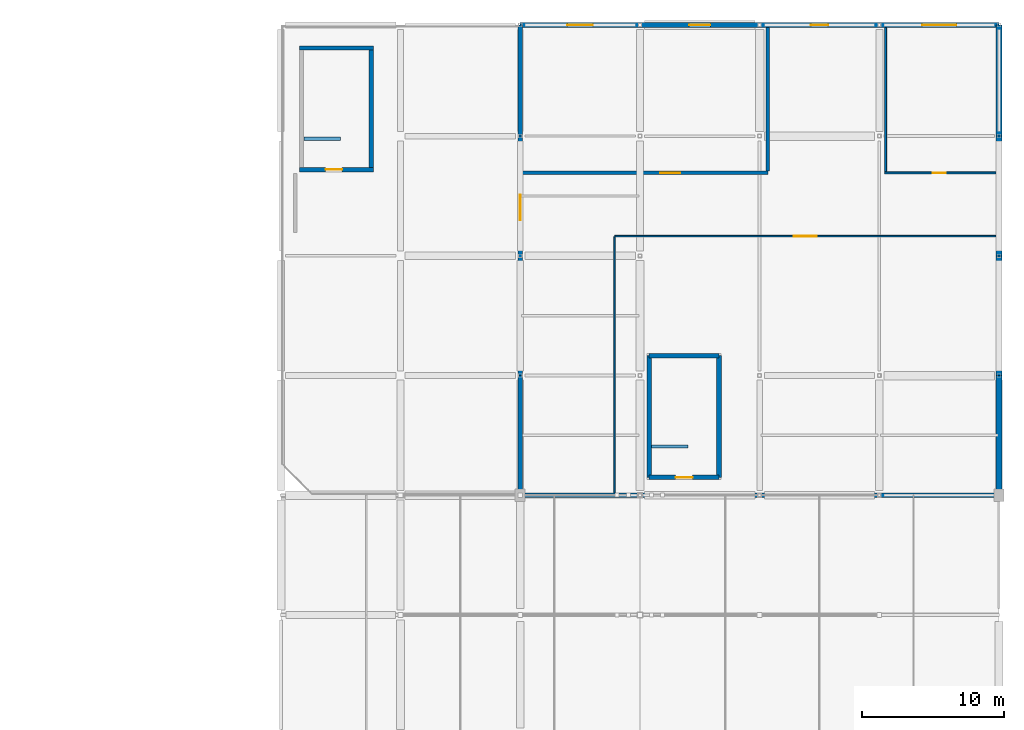
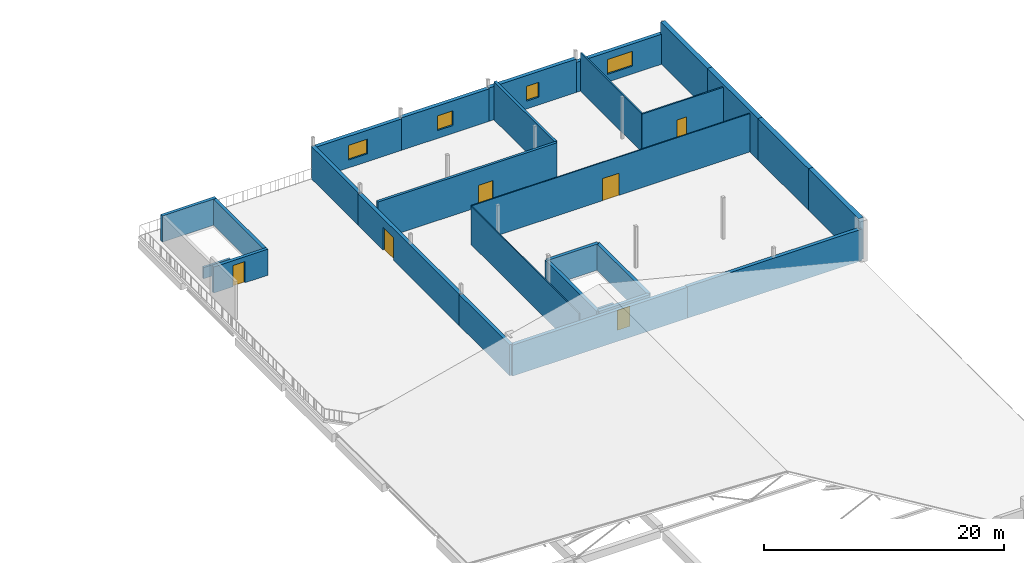
# One storey, part 58 of 64: 28 walls, 6 doors, 4 windows, 10 openings.
"""IFC4 building model written with IfcOpenShell, lengths in metres."""

import ifcopenshell
import ifcopenshell.guid

model = None  # the IFC model being written
_history = None  # IfcOwnerHistory: only IFC2X3 demands one
_inside = {}  # id of a spatial element -> (the spatial element, [elements in it])
_under = {}  # id of a project, library or spatial element -> (it, [spatial elements below it])
_declared = {}  # id of a project -> (the project, [libraries it declares])
_typed = {}  # id of a type object -> (the type object, [elements of that type])
_made_of = {}  # id of a material, layer set ... -> (it, [elements and type objects made of it])


def new_model(schema):
    """Start an empty IFC model of exactly this schema.

    Asked for "IFC4X3", IfcOpenShell would pick the latest addendum, in which some entities
    have other attributes; the version numbers below select the first issue.
    IFC2X3 requires an IfcOwnerHistory on every rooted entity: one is made here for all.
    """
    global model, _history
    if schema == "IFC4X3":
        model = ifcopenshell.file(schema_version=(4, 3, 0, 0))
    else:
        model = ifcopenshell.file(schema=schema)
    _inside.clear()
    _under.clear()
    _declared.clear()
    _typed.clear()
    _made_of.clear()
    _history = None
    if model.schema == "IFC2X3":
        org = make("IfcOrganization", Name="unknown")
        user = make(
            "IfcPersonAndOrganization",
            ThePerson=make("IfcPerson", FamilyName="unknown"),
            TheOrganization=org,
        )
        app = make(
            "IfcApplication",
            ApplicationDeveloper=org,
            Version="unknown",
            ApplicationFullName="unknown",
            ApplicationIdentifier="unknown",
        )
        _history = make(
            "IfcOwnerHistory",
            OwningUser=user,
            OwningApplication=app,
            ChangeAction="ADDED",
            CreationDate=0,
        )
    return model


def make(cls, **values):
    """One entity of the class cls with the attributes given. An attribute that is None is left unset."""
    return model.create_entity(
        cls, **{name: value for name, value in values.items() if value is not None}
    )


def rooted(cls, **values):
    """An entity with a GlobalId (a new one), such as an element, a storey or a relation."""
    return make(cls, GlobalId=ifcopenshell.guid.new(), OwnerHistory=_history, **values)


def si_unit(unit_type, name, prefix=None):
    """IfcSIUnit, for example si_unit("LENGTHUNIT", "METRE", prefix="MILLI")."""
    return make("IfcSIUnit", UnitType=unit_type, Prefix=prefix, Name=name)


def derived_unit(unit_type, elements):
    """IfcDerivedUnit: a product of units, each with its exponent."""
    return make(
        "IfcDerivedUnit",
        Elements=[
            make("IfcDerivedUnitElement", Unit=unit, Exponent=power)
            for unit, power in elements
        ],
        UnitType=unit_type,
    )


def assignment(units):
    """IfcUnitAssignment: the units of a project."""
    return None if units is None else make("IfcUnitAssignment", Units=units)


def point(xyz):
    """IfcCartesianPoint."""
    return None if xyz is None else make("IfcCartesianPoint", Coordinates=xyz)


def direction(xyz):
    """IfcDirection."""
    return None if xyz is None else make("IfcDirection", DirectionRatios=xyz)


def frame(location, z_axis=None, x_axis=None):
    """IfcAxis2Placement3D, a coordinate frame: its origin and axes. An axis left out is left unset."""
    return make(
        "IfcAxis2Placement3D",
        Location=point(location),
        Axis=direction(z_axis),
        RefDirection=direction(x_axis),
    )


def frame_2d(location, x_axis=None):
    """IfcAxis2Placement2D, a coordinate frame in the plane: its origin and x axis."""
    return make(
        "IfcAxis2Placement2D", Location=point(location), RefDirection=direction(x_axis)
    )


def origin():
    """The frame at (0, 0, 0) with its axes left unset."""
    return frame((0.0, 0.0, 0.0))


def place(relative_to, where):
    """IfcLocalPlacement: puts the frame where relative to a parent placement (None: the world)."""
    return make(
        "IfcLocalPlacement", PlacementRelTo=relative_to, RelativePlacement=where
    )


def context(
    kind, dimensions, precision=None, world=None, true_north=None, identifier=None
):
    """IfcGeometricRepresentationContext, for example the 3D "Model" context."""
    return make(
        "IfcGeometricRepresentationContext",
        ContextIdentifier=identifier,
        ContextType=kind,
        CoordinateSpaceDimension=dimensions,
        Precision=precision,
        WorldCoordinateSystem=world,
        TrueNorth=true_north,
    )


def subcontext(parent, identifier, kind, view, scale=None):
    """IfcGeometricRepresentationSubContext, for example "Body" below "Model"."""
    return make(
        "IfcGeometricRepresentationSubContext",
        ContextIdentifier=identifier,
        ContextType=kind,
        ParentContext=parent,
        TargetScale=scale,
        TargetView=view,
    )


def project(units=None, contexts=None):
    """IfcProject with its units and contexts."""
    return rooted(
        "IfcProject",
        Name="project",
        RepresentationContexts=contexts,
        UnitsInContext=assignment(units),
    )


def spatial(cls, under=None, at=None, **own):
    """A site, building, storey or space (cls), placed at a placement, below another one or the project."""
    s = rooted(cls, ObjectPlacement=at, **own)
    if under is not None:
        _under.setdefault(under.id(), (under, []))[1].append(s)
    return s


def profile(cls, at=None, kind="AREA", **sizes):
    """A parametric profile (cls). Its sizes go by their IFC names, for example OverallWidth=200.0."""
    return make(cls, ProfileType=kind, Position=at, **sizes)


def rectangle(**sizes):
    """IfcRectangleProfileDef."""
    return profile("IfcRectangleProfileDef", **sizes)


def extrude(swept, where, along, depth):
    """IfcExtrudedAreaSolid: the profile swept, set in the frame where, extruded along a direction by depth."""
    return make(
        "IfcExtrudedAreaSolid",
        SweptArea=swept,
        Position=where,
        ExtrudedDirection=direction(along),
        Depth=depth,
    )


def shape(context_of_items, identifier, shape_type, items):
    """IfcShapeRepresentation: the items that make up one representation, for example the "Body"."""
    return make(
        "IfcShapeRepresentation",
        ContextOfItems=context_of_items,
        RepresentationIdentifier=identifier,
        RepresentationType=shape_type,
        Items=items,
    )


def material(Name=None, Category=None):
    """IfcMaterial."""
    return make("IfcMaterial", Name=Name, Category=Category)


def layer(
    of_material, thickness, ventilated=None, Name=None, Category=None, Priority=None
):
    """IfcMaterialLayer: one layer of a wall or slab, of a material (None: an air gap)."""
    return make(
        "IfcMaterialLayer",
        Material=of_material,
        LayerThickness=thickness,
        IsVentilated=ventilated,
        Name=Name,
        Category=Category,
        Priority=Priority,
    )


def layer_set(layers, Name=None):
    """IfcMaterialLayerSet."""
    return make("IfcMaterialLayerSet", MaterialLayers=layers, LayerSetName=Name)


def made_of(thing, what):
    """Note that an element or type object is made of a material, layer set ...; save() writes the relation."""
    if what is not None:
        _made_of.setdefault(what.id(), (what, []))[1].append(thing)
    return thing


def type_object(cls, material=None, **own):
    """A type object (cls), such as IfcWallType, which elements share."""
    return made_of(rooted(cls, **own), material)


def element(
    cls,
    number,
    at=None,
    inside=None,
    cuts=None,
    type_object=None,
    material=None,
    context=None,
    identifier="Body",
    shape_type=None,
    held_by="IfcProductDefinitionShape",
    body=None,
    shapes=None,
    **own,
):
    """One element of the class cls, such as IfcWall. Its Tag is "e" and its number.

    at: its placement. inside: the storey or other place that contains it. cuts: it is an
    opening in that element (IfcRelVoidsElement). A single representation is given by context,
    identifier, shape_type and body (its items); several are given by shapes. held_by: the class
    of the entity that holds the representations. save() writes the other relations.
    """
    e = rooted(cls, Tag="e%d" % number, ObjectPlacement=at, **own)
    if body is not None:
        shapes = [shape(context, identifier, shape_type, body)]
    if shapes is not None:
        e.Representation = make(held_by, Representations=shapes)
    if inside is not None:
        _inside.setdefault(inside.id(), (inside, []))[1].append(e)
    if cuts is not None:
        rooted(
            "IfcRelVoidsElement", RelatingBuildingElement=cuts, RelatedOpeningElement=e
        )
    if type_object is not None:
        _typed.setdefault(type_object.id(), (type_object, []))[1].append(e)
    return made_of(e, material)


def fill(opening, filler):
    """IfcRelFillsElement: the door or window that sits in an opening."""
    return rooted(
        "IfcRelFillsElement",
        RelatingOpeningElement=opening,
        RelatedBuildingElement=filler,
    )


def aggregate(whole, parts):
    """IfcRelAggregates: a whole, such as a stair, and the parts it consists of."""
    return rooted("IfcRelAggregates", RelatingObject=whole, RelatedObjects=parts)


def save(model, path):
    """Write the relations noted so far, then the file.

    IfcRelAggregates (storeys below a building ...), IfcRelContainedInSpatialStructure (elements
    in a storey), IfcRelDefinesByType, IfcRelAssociatesMaterial and IfcRelDeclares: one each for
    every whole, place, type object, material and project.
    """
    for whole, parts in _under.values():
        aggregate(whole, parts)
    for where, things in _inside.values():
        rooted(
            "IfcRelContainedInSpatialStructure",
            RelatedElements=things,
            RelatingStructure=where,
        )
    for kind, things in _typed.values():
        rooted("IfcRelDefinesByType", RelatedObjects=things, RelatingType=kind)
    for what, things in _made_of.values():
        rooted("IfcRelAssociatesMaterial", RelatedObjects=things, RelatingMaterial=what)
    for by, libraries in _declared.values():
        rooted("IfcRelDeclares", RelatingContext=by, RelatedDefinitions=libraries)
    model.write(path)


model = new_model("IFC4")

# Units and contexts
model_context = context("Model", 3, precision=1e-05, world=origin(), true_north=direction((0.0, 1.0)))
body_context = subcontext(model_context, "Body", "Model", "MODEL_VIEW")
ifc_project = project(units=[si_unit("LENGTHUNIT", "METRE"), si_unit("AREAUNIT", "SQUARE_METRE"), si_unit("VOLUMEUNIT", "CUBIC_METRE"), si_unit("PLANEANGLEUNIT", "RADIAN"), si_unit("MASSUNIT", "GRAM", prefix="KILO"), derived_unit("THERMALTRANSMITTANCEUNIT", [(si_unit("POWERUNIT", "WATT"), 1), (si_unit("LENGTHUNIT", "METRE"), -2), (si_unit("THERMODYNAMICTEMPERATUREUNIT", "KELVIN"), -1)])], contexts=[model_context])

# Site, building, storey
site_placement = place(None, origin())
site = spatial("IfcSite", under=ifc_project, at=site_placement, CompositionType="ELEMENT")
building_placement = place(site_placement, origin())
building = spatial("IfcBuilding", under=site, at=building_placement, Name="Barrovel Congress Hotel", CompositionType="ELEMENT")
storey_placement = place(building_placement, frame((0.0, 0.0, 14.10009765625)))
storey = spatial("IfcBuildingStorey", under=building, at=storey_placement, Name="L03", CompositionType="ELEMENT", Elevation=14.10009765625)

# Wall, opening, door
ifc_material_1 = material(Name="Fired Clay Brick Masonry", Category="masonry")
ifc_layer_1 = layer(ifc_material_1, 0.320068359375)
ifc_layer_set_1 = layer_set([ifc_layer_1], Name="Fired Clay Brick Masonry")
wall_type_1 = type_object("IfcWallType", Name="EW-BRK320", PredefinedType="STANDARD", material=ifc_layer_set_1)
wall_1_placement = place(storey_placement, frame((151.85009765625, 81.050048828125, 0.0), z_axis=(0.0, 0.0, 1.0), x_axis=(1.0, 0.0, 0.0)))
wall_1 = element("IfcWall", 1, at=wall_1_placement, inside=storey, type_object=wall_type_1, Name="HHW:XS-06:S", PredefinedType="STANDARD", context=body_context, shape_type="SweptSolid", body=[
    extrude(rectangle(XDim=4.89990234375, YDim=0.320068359375, at=frame_2d((2.449951171875, 0.0))), origin(), (0.0, 0.0, 1.0), 2.64990234375),
])
opening_1_placement = place(wall_1_placement, frame((3.050048828125, 0.0, 0.0), z_axis=(0.0, 0.0, 1.0), x_axis=(-1.0, 0.0, 0.0)))
opening_1 = element("IfcOpeningElement", 2, at=opening_1_placement, cuts=wall_1, Name="Opening TD-02", PredefinedType="OPENING", context=body_context, shape_type="SweptSolid", body=[
    extrude(rectangle(XDim=1.199951171875, YDim=2.0400390625, at=frame_2d((0.60009765625, 1.02001953125))), frame((0.0, 0.169921875, 0.0), z_axis=(0.0, -1.0, 0.0), x_axis=(1.0, 0.0, 0.0)), (0.0, 0.0, 1.0), 0.340087890625),
])
ifc_material_2 = material(Name="Painted Hollow-Metal Steel Door", Category="steel")
door_type_1 = type_object("IfcDoorType", Name="EDR-TD-02", OperationType="NOTDEFINED", PredefinedType="TRAPDOOR", material=ifc_material_2)
door_1_placement = place(opening_1_placement, origin())
door_1 = element("IfcDoor", 3, at=door_1_placement, inside=storey, type_object=door_type_1, Name="Roof Maintenance Access Hatch Door XS-06", OperationType="SINGLE_SWING_RIGHT", OverallHeight=2.0400390625, OverallWidth=1.199951171875, PredefinedType="TRAPDOOR", context=body_context, shape_type="SweptSolid", body=[
    extrude(rectangle(XDim=1.199951171875, YDim=2.0400390625, at=frame_2d((0.60009765625, 1.02001953125))), frame((0.0, 0.02490234375, 0.0), z_axis=(0.0, -1.0, 0.0), x_axis=(1.0, 0.0, 0.0)), (0.0, 0.0, 1.0), 0.050048828125),
])
fill(opening_1, door_1)

# Walls
wall_2_placement = place(storey_placement, frame((156.75, 81.050048828125, 0.0), z_axis=(0.0, 0.0, 1.0), x_axis=(0.0, 1.0, 0.0)))
element("IfcWall", 4, at=wall_2_placement, inside=storey, type_object=wall_type_1, Name="HHW:XS-06:E", PredefinedType="STANDARD", context=body_context, shape_type="SweptSolid", body=[
    extrude(rectangle(XDim=8.5400390625, YDim=0.320068359375, at=frame_2d((4.27001953125, 0.0))), origin(), (0.0, 0.0, 1.0), 2.64990234375),
])
wall_3_placement = place(storey_placement, frame((156.75, 89.590087890625, 0.0), z_axis=(0.0, 0.0, 1.0), x_axis=(-1.0, 0.0, 0.0)))
element("IfcWall", 5, at=wall_3_placement, inside=storey, type_object=wall_type_1, Name="HHW:XS-06:N", PredefinedType="STANDARD", context=body_context, shape_type="SweptSolid", body=[
    extrude(rectangle(XDim=4.89990234375, YDim=0.320068359375, at=frame_2d((2.449951171875, 0.0))), origin(), (0.0, 0.0, 1.0), 2.64990234375),
])
wall_4_placement = place(storey_placement, frame((151.85009765625, 89.590087890625, 0.0), z_axis=(0.0, 0.0, 1.0), x_axis=(0.0, -1.0, 0.0)))
element("IfcWall", 6, at=wall_4_placement, inside=storey, type_object=wall_type_1, Name="HHW:XS-06:W", PredefinedType="STANDARD", context=body_context, shape_type="SweptSolid", body=[
    extrude(rectangle(XDim=8.5400390625, YDim=0.320068359375, at=frame_2d((4.27001953125, 0.0))), origin(), (0.0, 0.0, 1.0), 2.64990234375),
])

# Wall, opening, door
ifc_layer_2 = layer(ifc_material_1, 0.340087890625)
ifc_layer_set_2 = layer_set([ifc_layer_2], Name="Fired Clay Brick Masonry")
wall_type_2 = type_object("IfcWallType", Name="EW-BRK340", PredefinedType="STANDARD", material=ifc_layer_set_2)
wall_5_placement = place(storey_placement, frame((142.800048828125, 105.0, 0.0), z_axis=(0.0, 0.0, 1.0), x_axis=(0.0, -1.0, 0.0)))
wall_5 = element("IfcWall", 7, at=wall_5_placement, inside=storey, type_object=wall_type_2, Name="EW:L03:V3-TERRW", PredefinedType="STANDARD", context=body_context, shape_type="SweptSolid", body=[
    extrude(rectangle(XDim=16.800048828125, YDim=0.340087890625, at=frame_2d((8.39990234375, 0.0))), origin(), (0.0, 0.0, 1.0), 3.199951171875),
])
opening_2_placement = place(wall_5_placement, frame((5.900146484375, 0.0, 0.0), z_axis=(0.0, 0.0, 1.0), x_axis=(-1.0, 0.0, 0.0)))
opening_2 = element("IfcOpeningElement", 8, at=opening_2_placement, cuts=wall_5, Name="Opening ED-03", PredefinedType="OPENING", context=body_context, shape_type="SweptSolid", body=[
    extrude(rectangle(XDim=1.800048828125, YDim=2.300048828125, at=frame_2d((0.89990234375, 1.14990234375))), frame((0.0, 0.18017578125, 0.0), z_axis=(0.0, -1.0, 0.0), x_axis=(1.0, 0.0, 0.0)), (0.0, 0.0, 1.0), 0.360107421875),
])
ifc_material_3 = material(Name="Anodised Aluminium Glazed Door", Category="aluminium")
door_type_2 = type_object("IfcDoorType", Name="EDR-ED-03", OperationType="NOTDEFINED", PredefinedType="DOOR", material=ifc_material_3)
door_2_placement = place(opening_2_placement, origin())
door_2 = element("IfcDoor", 9, at=door_2_placement, inside=storey, type_object=door_type_2, Name="Spa Wellness Roof Terrace Door", OperationType="DOUBLE_DOOR_SINGLE_SWING", OverallHeight=2.300048828125, OverallWidth=1.800048828125, PredefinedType="DOOR", context=body_context, shape_type="SweptSolid", body=[
    extrude(rectangle(XDim=1.800048828125, YDim=2.300048828125, at=frame_2d((0.89990234375, 1.14990234375))), frame((0.0, 0.02490234375, 0.0), z_axis=(0.0, -1.0, 0.0), x_axis=(1.0, 0.0, 0.0)), (0.0, 0.0, 1.0), 0.050048828125),
])
fill(opening_2, door_2)

# Walls
wall_6_placement = place(storey_placement, frame((142.800048828125, 79.800048828125, 0.0), z_axis=(0.0, 0.0, 1.0), x_axis=(1.0, 0.0, 0.0)))
element("IfcWall", 10, at=wall_6_placement, inside=storey, type_object=wall_type_2, Name="EW:L03:V3-S", PredefinedType="STANDARD", context=body_context, shape_type="SweptSolid", body=[
    extrude(rectangle(XDim=16.800048828125, YDim=0.340087890625, at=frame_2d((8.39990234375, 0.0))), origin(), (0.0, 0.0, 1.0), 3.14990234375),
])
wall_7_placement = place(storey_placement, frame((142.800048828125, 112.800048828125, 0.0), z_axis=(0.0, 0.0, 1.0), x_axis=(0.0, -1.0, 0.0)))
element("IfcWall", 11, at=wall_7_placement, inside=storey, type_object=wall_type_2, Name="EW:L03:V3-TERRW:P01", PredefinedType="STANDARD", context=body_context, shape_type="SweptSolid", body=[
    extrude(rectangle(XDim=7.800048828125, YDim=0.340087890625, at=frame_2d((3.89990234375, 0.0))), origin(), (0.0, 0.0, 1.0), 3.2998046875),
])
wall_8_placement = place(storey_placement, frame((142.800048828125, 88.199951171875, 0.0), z_axis=(0.0, 0.0, 1.0), x_axis=(0.0, -1.0, 0.0)))
element("IfcWall", 12, at=wall_8_placement, inside=storey, type_object=wall_type_2, Name="EW:L03:V3-TERRW:P03", PredefinedType="STANDARD", context=body_context, shape_type="SweptSolid", body=[
    extrude(rectangle(XDim=8.39990234375, YDim=0.340087890625, at=frame_2d((4.199951171875, 0.0))), origin(), (0.0, 0.0, 1.0), 3.14990234375),
])
wall_9_placement = place(storey_placement, frame((159.60009765625, 79.800048828125, 0.0), z_axis=(0.0, 0.0, 1.0), x_axis=(1.0, 0.0, 0.0)))
element("IfcWall", 13, at=wall_9_placement, inside=storey, type_object=wall_type_2, Name="EW:L03:V3-S:P02", PredefinedType="STANDARD", context=body_context, shape_type="SweptSolid", body=[
    extrude(rectangle(XDim=16.7998046875, YDim=0.340087890625, at=frame_2d((8.39990234375, 0.0))), origin(), (0.0, 0.0, 1.0), 3.199951171875),
])

# Wall, opening, window
ifc_layer_3 = layer(ifc_material_1, 0.360107421875)
ifc_layer_set_3 = layer_set([ifc_layer_3], Name="Fired Clay Brick Masonry")
wall_type_3 = type_object("IfcWallType", Name="EW-BRK360", PredefinedType="STANDARD", material=ifc_layer_set_3)
wall_10_placement = place(storey_placement, frame((176.39990234375, 112.800048828125, 0.0), z_axis=(0.0, 0.0, 1.0), x_axis=(-1.0, 0.0, 0.0)))
wall_10 = element("IfcWall", 14, at=wall_10_placement, inside=storey, type_object=wall_type_3, Name="EW:L03:V3N:20", PredefinedType="STANDARD", context=body_context, shape_type="SweptSolid", body=[
    extrude(rectangle(XDim=8.39990234375, YDim=0.360107421875, at=frame_2d((4.199951171875, 0.0))), origin(), (0.0, 0.0, 1.0), 3.0498046875),
])
opening_3_placement = place(wall_10_placement, frame((3.0, 0.0, 0.800048828125)))
opening_3 = element("IfcOpeningElement", 15, at=opening_3_placement, cuts=wall_10, Name="Opening WN-05", PredefinedType="OPENING", context=body_context, shape_type="SweptSolid", body=[
    extrude(rectangle(XDim=2.39990234375, YDim=1.5, at=frame_2d((1.199951171875, 0.75))), frame((0.0, 0.18994140625, 0.0), z_axis=(0.0, -1.0, 0.0), x_axis=(1.0, 0.0, 0.0)), (0.0, 0.0, 1.0), 0.380126953125),
])
ifc_material_4 = material(Name="Double Low-E Insulated Glazing", Category="glass")
window_type_1 = type_object("IfcWindowType", Name="WIN-WN-05", PartitioningType="SINGLE_PANEL", PredefinedType="WINDOW", material=ifc_material_4)
window_1_placement = place(opening_3_placement, origin())
window_1 = element("IfcWindow", 16, at=window_1_placement, inside=storey, type_object=window_type_1, Name="WIN:L03:V3N:20", OverallHeight=1.5, OverallWidth=2.39990234375, PartitioningType="SINGLE_PANEL", PredefinedType="WINDOW", context=body_context, shape_type="SweptSolid", body=[
    extrude(rectangle(XDim=2.39990234375, YDim=1.5, at=frame_2d((1.199951171875, 0.75))), frame((0.0, 0.030029296875, 0.0), z_axis=(0.0, -1.0, 0.0), x_axis=(1.0, 0.0, 0.0)), (0.0, 0.0, 1.0), 0.06005859375),
])
fill(opening_3, window_1)

wall_11_placement = place(storey_placement, frame((168.0, 112.800048828125, 0.0), z_axis=(0.0, 0.0, 1.0), x_axis=(-1.0, 0.0, 0.0)))
wall_11 = element("IfcWall", 17, at=wall_11_placement, inside=storey, type_object=wall_type_3, Name="EW:L03:V3N:19", PredefinedType="STANDARD", context=body_context, shape_type="SweptSolid", body=[
    extrude(rectangle(XDim=8.39990234375, YDim=0.360107421875, at=frame_2d((4.199951171875, 0.0))), origin(), (0.0, 0.0, 1.0), 3.39990234375),
])
opening_4_placement = place(wall_11_placement, frame((3.60009765625, 0.0, 0.800048828125)))
opening_4 = element("IfcOpeningElement", 18, at=opening_4_placement, cuts=wall_11, Name="Opening WN-06", PredefinedType="OPENING", context=body_context, shape_type="SweptSolid", body=[
    extrude(rectangle(XDim=1.199951171875, YDim=1.5, at=frame_2d((0.60009765625, 0.75))), frame((0.0, 0.18994140625, 0.0), z_axis=(0.0, -1.0, 0.0), x_axis=(1.0, 0.0, 0.0)), (0.0, 0.0, 1.0), 0.380126953125),
])
window_type_2 = type_object("IfcWindowType", Name="WIN-WN-06", PartitioningType="SINGLE_PANEL", PredefinedType="WINDOW", material=ifc_material_4)
window_2_placement = place(opening_4_placement, origin())
window_2 = element("IfcWindow", 19, at=window_2_placement, inside=storey, type_object=window_type_2, Name="WIN:L03:V3N:19", OverallHeight=1.5, OverallWidth=1.199951171875, PartitioningType="SINGLE_PANEL", PredefinedType="WINDOW", context=body_context, shape_type="SweptSolid", body=[
    extrude(rectangle(XDim=1.199951171875, YDim=1.5, at=frame_2d((0.60009765625, 0.75))), frame((0.0, 0.030029296875, 0.0), z_axis=(0.0, -1.0, 0.0), x_axis=(1.0, 0.0, 0.0)), (0.0, 0.0, 1.0), 0.06005859375),
])
fill(opening_4, window_2)

wall_12_placement = place(storey_placement, frame((159.60009765625, 112.800048828125, 0.0), z_axis=(0.0, 0.0, 1.0), x_axis=(-1.0, 0.0, 0.0)))
wall_12 = element("IfcWall", 20, at=wall_12_placement, inside=storey, type_object=wall_type_3, Name="EW:L03:V3N:18", PredefinedType="STANDARD", context=body_context, shape_type="SweptSolid", body=[
    extrude(rectangle(XDim=8.400146484375, YDim=0.360107421875, at=frame_2d((4.2001953125, 0.0))), origin(), (0.0, 0.0, 1.0), 3.2998046875),
])
opening_5_placement = place(wall_12_placement, frame((3.449951171875, 0.0, 0.800048828125)))
opening_5 = element("IfcOpeningElement", 21, at=opening_5_placement, cuts=wall_12, Name="Opening WN-07", PredefinedType="OPENING", context=body_context, shape_type="SweptSolid", body=[
    extrude(rectangle(XDim=1.5, YDim=1.5, at=frame_2d((0.75, 0.75))), frame((0.0, 0.18994140625, 0.0), z_axis=(0.0, -1.0, 0.0), x_axis=(1.0, 0.0, 0.0)), (0.0, 0.0, 1.0), 0.380126953125),
])
window_type_3 = type_object("IfcWindowType", Name="WIN-WN-07", PartitioningType="SINGLE_PANEL", PredefinedType="WINDOW", material=ifc_material_4)
window_3_placement = place(opening_5_placement, origin())
window_3 = element("IfcWindow", 22, at=window_3_placement, inside=storey, type_object=window_type_3, Name="WIN:L03:V3N:18", OverallHeight=1.5, OverallWidth=1.5, PartitioningType="SINGLE_PANEL", PredefinedType="WINDOW", context=body_context, shape_type="SweptSolid", body=[
    extrude(rectangle(XDim=1.5, YDim=1.5, at=frame_2d((0.75, 0.75))), frame((0.0, 0.030029296875, 0.0), z_axis=(0.0, -1.0, 0.0), x_axis=(1.0, 0.0, 0.0)), (0.0, 0.0, 1.0), 0.06005859375),
])
fill(opening_5, window_3)

wall_13_placement = place(storey_placement, frame((151.199951171875, 112.800048828125, 0.0), z_axis=(0.0, 0.0, 1.0), x_axis=(-1.0, 0.0, 0.0)))
wall_13 = element("IfcWall", 23, at=wall_13_placement, inside=storey, type_object=wall_type_3, Name="EW:L03:V3N:17", PredefinedType="STANDARD", context=body_context, shape_type="SweptSolid", body=[
    extrude(rectangle(XDim=8.39990234375, YDim=0.360107421875, at=frame_2d((4.199951171875, 0.0))), origin(), (0.0, 0.0, 1.0), 3.199951171875),
])
opening_6_placement = place(wall_13_placement, frame((3.300048828125, 0.0, 0.800048828125)))
opening_6 = element("IfcOpeningElement", 24, at=opening_6_placement, cuts=wall_13, Name="Opening WN-08", PredefinedType="OPENING", context=body_context, shape_type="SweptSolid", body=[
    extrude(rectangle(XDim=1.800048828125, YDim=1.5, at=frame_2d((0.89990234375, 0.75))), frame((0.0, 0.18994140625, 0.0), z_axis=(0.0, -1.0, 0.0), x_axis=(1.0, 0.0, 0.0)), (0.0, 0.0, 1.0), 0.380126953125),
])
window_type_4 = type_object("IfcWindowType", Name="WIN-WN-08", PartitioningType="SINGLE_PANEL", PredefinedType="WINDOW", material=ifc_material_4)
window_4_placement = place(opening_6_placement, origin())
window_4 = element("IfcWindow", 25, at=window_4_placement, inside=storey, type_object=window_type_4, Name="WIN:L03:V3N:17", OverallHeight=1.5, OverallWidth=1.800048828125, PartitioningType="SINGLE_PANEL", PredefinedType="WINDOW", context=body_context, shape_type="SweptSolid", body=[
    extrude(rectangle(XDim=1.800048828125, YDim=1.5, at=frame_2d((0.89990234375, 0.75))), frame((0.0, 0.030029296875, 0.0), z_axis=(0.0, -1.0, 0.0), x_axis=(1.0, 0.0, 0.0)), (0.0, 0.0, 1.0), 0.06005859375),
])
fill(opening_6, window_4)

# Walls
ifc_layer_4 = layer(ifc_material_1, 0.219970703125)
ifc_layer_set_4 = layer_set([ifc_layer_4], Name="Fired Clay Brick Masonry")
wall_type_4 = type_object("IfcWallType", Name="EW-PAR220", PredefinedType="PARAPET", material=ifc_layer_set_4)
wall_14_placement = place(storey_placement, frame((152.02001953125, 83.219970703125, 0.0), z_axis=(0.0, 0.0, 1.0), x_axis=(1.0, 0.0, 0.0)))
element("IfcWall", 26, at=wall_14_placement, inside=storey, type_object=wall_type_4, Name="STAIR:XS-06:TOP-GR", PredefinedType="PARAPET", context=body_context, shape_type="SweptSolid", body=[
    extrude(rectangle(XDim=2.56005859375, YDim=0.219970703125, at=frame_2d((1.280029296875, 0.0))), origin(), (0.0, 0.0, 1.0), 1.139892578125),
])
wall_15_placement = place(storey_placement, frame((127.6201171875, 104.820068359375, 0.0), z_axis=(0.0, 0.0, 1.0), x_axis=(1.0, 0.0, 0.0)))
element("IfcWall", 27, at=wall_15_placement, inside=storey, type_object=wall_type_4, Name="STAIR:XS-10:TOP-GR", PredefinedType="PARAPET", context=body_context, shape_type="SweptSolid", body=[
    extrude(rectangle(XDim=2.559814453125, YDim=0.219970703125, at=frame_2d((1.27978515625, 0.0))), origin(), (0.0, 0.0, 1.0), 1.139892578125),
])
ifc_layer_5 = layer(ifc_material_1, 0.449951171875)
ifc_layer_set_5 = layer_set([ifc_layer_5], Name="Fired Clay Brick Masonry")
wall_type_5 = type_object("IfcWallType", Name="EW-PW450", PredefinedType="STANDARD", material=ifc_layer_set_5)
wall_16_placement = place(storey_placement, frame((176.39990234375, 79.800048828125, 0.0), z_axis=(0.0, 0.0, 1.0), x_axis=(0.0, 1.0, 0.0)))
element("IfcWall", 28, at=wall_16_placement, inside=storey, type_object=wall_type_5, Name="EW:L03:PARTY:79.8", PredefinedType="STANDARD", context=body_context, shape_type="SweptSolid", body=[
    extrude(rectangle(XDim=8.39990234375, YDim=0.449951171875, at=frame_2d((4.199951171875, 0.0))), origin(), (0.0, 0.0, 1.0), 4.199951171875),
])
wall_17_placement = place(storey_placement, frame((176.39990234375, 88.199951171875, 0.0), z_axis=(0.0, 0.0, 1.0), x_axis=(0.0, 1.0, 0.0)))
element("IfcWall", 29, at=wall_17_placement, inside=storey, type_object=wall_type_5, Name="EW:L03:PARTY:88.2", PredefinedType="STANDARD", context=body_context, shape_type="SweptSolid", body=[
    extrude(rectangle(XDim=8.400146484375, YDim=0.449951171875, at=frame_2d((4.2001953125, 0.0))), origin(), (0.0, 0.0, 1.0), 4.199951171875),
])
wall_18_placement = place(storey_placement, frame((176.39990234375, 96.60009765625, 0.0), z_axis=(0.0, 0.0, 1.0), x_axis=(0.0, 1.0, 0.0)))
element("IfcWall", 30, at=wall_18_placement, inside=storey, type_object=wall_type_5, Name="EW:L03:PARTY:96.6", PredefinedType="STANDARD", context=body_context, shape_type="SweptSolid", body=[
    extrude(rectangle(XDim=8.39990234375, YDim=0.449951171875, at=frame_2d((4.199951171875, 0.0))), origin(), (0.0, 0.0, 1.0), 4.199951171875),
])
wall_19_placement = place(storey_placement, frame((176.39990234375, 105.0, 0.0), z_axis=(0.0, 0.0, 1.0), x_axis=(0.0, 1.0, 0.0)))
element("IfcWall", 31, at=wall_19_placement, inside=storey, type_object=wall_type_5, Name="EW:L03:PARTY:105.0", PredefinedType="STANDARD", context=body_context, shape_type="SweptSolid", body=[
    extrude(rectangle(XDim=7.800048828125, YDim=0.449951171875, at=frame_2d((3.89990234375, 0.0))), origin(), (0.0, 0.0, 1.0), 4.199951171875),
])

# Wall, opening, door
ifc_material_5 = material(Name="Gypsum Acoustic Stud", Category="gypsum")
ifc_layer_6 = layer(ifc_material_5, 0.10009765625)
ifc_layer_set_6 = layer_set([ifc_layer_6], Name="Gypsum Acoustic Stud")
wall_type_6 = type_object("IfcWallType", Name="PW-LGT-100", PredefinedType="PARTITIONING", material=ifc_layer_set_6)
wall_20_placement = place(storey_placement, frame((149.419921875, 97.97998046875, 0.0), z_axis=(0.0, 0.0, 1.0), x_axis=(1.0, 0.0, 0.0)))
wall_20 = element("IfcWall", 32, at=wall_20_placement, inside=storey, type_object=wall_type_6, Name="RW:SP:L03:SPA-LG:N", PredefinedType="PARTITIONING", context=body_context, shape_type="SweptSolid", body=[
    extrude(rectangle(XDim=26.755126953125, YDim=0.10009765625, at=frame_2d((13.37744140625, 0.0))), origin(), (0.0, 0.0, 1.0), 3.89501953125),
])
opening_7_placement = place(wall_20_placement, frame((12.577392578125, 0.0, 0.0)))
opening_7 = element("IfcOpeningElement", 33, at=opening_7_placement, cuts=wall_20, Name="Opening ID-MTG", PredefinedType="OPENING", context=body_context, shape_type="SweptSolid", body=[
    extrude(rectangle(XDim=1.60009765625, YDim=2.25, at=frame_2d((0.800048828125, 1.125))), frame((0.0, 0.06005859375, 0.0), z_axis=(0.0, -1.0, 0.0), x_axis=(1.0, 0.0, 0.0)), (0.0, 0.0, 1.0), 0.1201171875),
])
ifc_material_6 = material(Name="Solid Oak Acoustic Timber Door", Category="wood")
door_type_3 = type_object("IfcDoorType", Name="IDR-ID-MTG", OperationType="NOTDEFINED", PredefinedType="DOOR", material=ifc_material_6)
door_3_placement = place(opening_7_placement, origin())
door_3 = element("IfcDoor", 34, at=door_3_placement, inside=storey, type_object=door_type_3, Name="RD:SP:L03:SPA-LG", OperationType="DOUBLE_DOOR_SINGLE_SWING", OverallHeight=2.25, OverallWidth=1.60009765625, PredefinedType="DOOR", context=body_context, shape_type="SweptSolid", body=[
    extrude(rectangle(XDim=1.60009765625, YDim=2.25, at=frame_2d((0.800048828125, 1.125))), frame((0.0, 0.02490234375, 0.0), z_axis=(0.0, -1.0, 0.0), x_axis=(1.0, 0.0, 0.0)), (0.0, 0.0, 1.0), 0.050048828125),
])
fill(opening_7, door_3)

# Wall
wall_21_placement = place(storey_placement, frame((149.419921875, 79.969970703125, 0.0), z_axis=(0.0, 0.0, 1.0), x_axis=(0.0, 1.0, 0.0)))
element("IfcWall", 35, at=wall_21_placement, inside=storey, type_object=wall_type_6, Name="RW:SP:L03:SPA-LG:W", PredefinedType="PARTITIONING", context=body_context, shape_type="SweptSolid", body=[
    extrude(rectangle(XDim=17.9599609375, YDim=0.10009765625, at=frame_2d((8.97998046875, 0.0))), origin(), (0.0, 0.0, 1.0), 3.89501953125),
])

# Wall, opening, door
ifc_layer_7 = layer(ifc_material_1, 0.239990234375)
ifc_layer_set_7 = layer_set([ifc_layer_7], Name="Fired Clay Brick Masonry")
wall_type_7 = type_object("IfcWallType", Name="PW-MAS-240", PredefinedType="PARTITIONING", material=ifc_layer_set_7)
wall_22_placement = place(storey_placement, frame((142.969970703125, 102.419921875, 0.0), z_axis=(0.0, 0.0, 1.0), x_axis=(1.0, 0.0, 0.0)))
wall_22 = element("IfcWall", 36, at=wall_22_placement, inside=storey, type_object=wall_type_7, Name="RW:SP:L03:AHU-S3:S", PredefinedType="PARTITIONING", context=body_context, shape_type="SweptSolid", body=[
    extrude(rectangle(XDim=17.2099609375, YDim=0.239990234375, at=frame_2d((8.60498046875, 0.0))), origin(), (0.0, 0.0, 1.0), 3.89501953125),
])
opening_8_placement = place(wall_22_placement, frame((9.655029296875, 0.0, 0.0)))
opening_8 = element("IfcOpeningElement", 37, at=opening_8_placement, cuts=wall_22, Name="Opening ID-PLT", PredefinedType="OPENING", context=body_context, shape_type="SweptSolid", body=[
    extrude(rectangle(XDim=1.39990234375, YDim=2.199951171875, at=frame_2d((0.699951171875, 1.10009765625))), frame((0.0, 0.1298828125, 0.0), z_axis=(0.0, -1.0, 0.0), x_axis=(1.0, 0.0, 0.0)), (0.0, 0.0, 1.0), 0.260009765625),
])
door_type_4 = type_object("IfcDoorType", Name="IDR-ID-PLT", OperationType="NOTDEFINED", PredefinedType="DOOR", material=ifc_material_2)
door_4_placement = place(opening_8_placement, origin())
door_4 = element("IfcDoor", 38, at=door_4_placement, inside=storey, type_object=door_type_4, Name="RD:SP:L03:AHU-S3", OperationType="DOUBLE_DOOR_SINGLE_SWING", OverallHeight=2.199951171875, OverallWidth=1.39990234375, PredefinedType="DOOR", context=body_context, shape_type="SweptSolid", body=[
    extrude(rectangle(XDim=1.39990234375, YDim=2.199951171875, at=frame_2d((0.699951171875, 1.10009765625))), frame((0.0, 0.02490234375, 0.0), z_axis=(0.0, -1.0, 0.0), x_axis=(1.0, 0.0, 0.0)), (0.0, 0.0, 1.0), 0.050048828125),
])
fill(opening_8, door_4)

# Wall
wall_23_placement = place(storey_placement, frame((160.179931640625, 102.5400390625, 0.0), z_axis=(0.0, 0.0, 1.0), x_axis=(0.0, 1.0, 0.0)))
element("IfcWall", 39, at=wall_23_placement, inside=storey, type_object=wall_type_7, Name="RW:SP:L03:AHU-S3:E", PredefinedType="PARTITIONING", context=body_context, shape_type="SweptSolid", body=[
    extrude(rectangle(XDim=10.080078125, YDim=0.239990234375, at=frame_2d((5.0400390625, 0.0))), origin(), (0.0, 0.0, 1.0), 3.89501953125),
])

# Wall, opening, door
ifc_material_7 = material(Name="Gypsum Moisture Board", Category="gypsum")
ifc_layer_8 = layer(ifc_material_7, 0.139892578125)
ifc_layer_set_8 = layer_set([ifc_layer_8], Name="Gypsum Moisture Board")
wall_type_8 = type_object("IfcWallType", Name="PW-WET-140", PredefinedType="PARTITIONING", material=ifc_layer_set_8)
wall_24_placement = place(storey_placement, frame((168.3798828125, 102.419921875, 0.0), z_axis=(0.0, 0.0, 1.0), x_axis=(1.0, 0.0, 0.0)))
wall_24 = element("IfcWall", 40, at=wall_24_placement, inside=storey, type_object=wall_type_8, Name="RW:SP:L03:WC-S3:S", PredefinedType="PARTITIONING", context=body_context, shape_type="SweptSolid", body=[
    extrude(rectangle(XDim=7.795166015625, YDim=0.139892578125, at=frame_2d((3.8974609375, 0.0))), origin(), (0.0, 0.0, 1.0), 3.89501953125),
])
opening_9_placement = place(wall_24_placement, frame((3.3701171875, 0.0, 0.0)))
opening_9 = element("IfcOpeningElement", 41, at=opening_9_placement, cuts=wall_24, Name="Opening ID-WC1", PredefinedType="OPENING", context=body_context, shape_type="SweptSolid", body=[
    extrude(rectangle(XDim=0.89990234375, YDim=2.1201171875, at=frame_2d((0.449951171875, 1.06005859375))), frame((0.0, 0.080078125, 0.0), z_axis=(0.0, -1.0, 0.0), x_axis=(1.0, 0.0, 0.0)), (0.0, 0.0, 1.0), 0.159912109375),
])
ifc_material_8 = material(Name="Lacquered Timber Moisture Door", Category="wood")
door_type_5 = type_object("IfcDoorType", Name="IDR-ID-WC1", OperationType="NOTDEFINED", PredefinedType="DOOR", material=ifc_material_8)
door_5_placement = place(opening_9_placement, origin())
door_5 = element("IfcDoor", 42, at=door_5_placement, inside=storey, type_object=door_type_5, Name="RD:SP:L03:WC-S3", OperationType="SINGLE_SWING_RIGHT", OverallHeight=2.1201171875, OverallWidth=0.89990234375, PredefinedType="DOOR", context=body_context, shape_type="SweptSolid", body=[
    extrude(rectangle(XDim=0.89990234375, YDim=2.1201171875, at=frame_2d((0.449951171875, 1.06005859375))), frame((0.0, 0.02490234375, 0.0), z_axis=(0.0, -1.0, 0.0), x_axis=(1.0, 0.0, 0.0)), (0.0, 0.0, 1.0), 0.050048828125),
])
fill(opening_9, door_5)

# Wall
wall_25_placement = place(storey_placement, frame((168.449951171875, 102.489990234375, 0.0), z_axis=(0.0, 0.0, 1.0), x_axis=(0.0, 1.0, 0.0)))
element("IfcWall", 43, at=wall_25_placement, inside=storey, type_object=wall_type_8, Name="RW:SP:L03:WC-S3:W", PredefinedType="PARTITIONING", context=body_context, shape_type="SweptSolid", body=[
    extrude(rectangle(XDim=10.130126953125, YDim=0.139892578125, at=frame_2d((5.06494140625, 0.0))), origin(), (0.0, 0.0, 1.0), 3.89501953125),
])

# Wall, opening, door
ifc_material_9 = material(Name="Concrete C40", Category="concrete")
ifc_layer_9 = layer(ifc_material_9, 0.300048828125)
ifc_layer_set_9 = layer_set([ifc_layer_9], Name="Concrete C40")
wall_type_9 = type_object("IfcWallType", Name="SW-C40-300", PredefinedType="SHEAR", material=ifc_layer_set_9)
wall_26_placement = place(storey_placement, frame((127.300048828125, 102.64990234375, 0.0), z_axis=(0.0, 0.0, 1.0), x_axis=(1.0, 0.0, 0.0)))
wall_26 = element("IfcWall", 44, at=wall_26_placement, inside=storey, type_object=wall_type_9, Name="SHW:XS-10:L03:S", PredefinedType="SHEAR", context=body_context, shape_type="SweptSolid", body=[
    extrude(rectangle(XDim=5.199951171875, YDim=0.300048828125, at=frame_2d((2.60009765625, 0.0))), origin(), (0.0, 0.0, 1.0), 2.64990234375),
])
opening_10_placement = place(wall_26_placement, frame((1.85009765625, 0.0, 0.0)))
opening_10 = element("IfcOpeningElement", 45, at=opening_10_placement, cuts=wall_26, Name="Opening ID-ST1", PredefinedType="OPENING", context=body_context, shape_type="SweptSolid", body=[
    extrude(rectangle(XDim=1.14990234375, YDim=2.14990234375, at=frame_2d((0.574951171875, 1.074951171875))), frame((0.0, 0.16015625, 0.0), z_axis=(0.0, -1.0, 0.0), x_axis=(1.0, 0.0, 0.0)), (0.0, 0.0, 1.0), 0.320068359375),
])
door_type_6 = type_object("IfcDoorType", Name="IDR-ID-ST1", OperationType="NOTDEFINED", PredefinedType="DOOR", material=ifc_material_2)
door_6_placement = place(opening_10_placement, origin())
door_6 = element("IfcDoor", 46, at=door_6_placement, inside=storey, type_object=door_type_6, Name="Stair Core Fire Door XS-10-L03", OperationType="SINGLE_SWING_RIGHT", OverallHeight=2.14990234375, OverallWidth=1.14990234375, PredefinedType="DOOR", context=body_context, shape_type="SweptSolid", body=[
    extrude(rectangle(XDim=1.14990234375, YDim=2.14990234375, at=frame_2d((0.574951171875, 1.074951171875))), frame((0.0, 0.02490234375, 0.0), z_axis=(0.0, -1.0, 0.0), x_axis=(1.0, 0.0, 0.0)), (0.0, 0.0, 1.0), 0.050048828125),
])
fill(opening_10, door_6)

# Walls
wall_27_placement = place(storey_placement, frame((132.35009765625, 102.5, 0.0), z_axis=(0.0, 0.0, 1.0), x_axis=(0.0, 1.0, 0.0)))
element("IfcWall", 47, at=wall_27_placement, inside=storey, type_object=wall_type_9, Name="SHW:XS-10:L03:E", PredefinedType="SHEAR", context=body_context, shape_type="SweptSolid", body=[
    extrude(rectangle(XDim=8.840087890625, YDim=0.300048828125, at=frame_2d((4.419921875, 0.0))), origin(), (0.0, 0.0, 1.0), 2.64990234375),
])
wall_28_placement = place(storey_placement, frame((132.5, 111.18994140625, 0.0), z_axis=(0.0, 0.0, 1.0), x_axis=(-1.0, 0.0, 0.0)))
element("IfcWall", 48, at=wall_28_placement, inside=storey, type_object=wall_type_9, Name="SHW:XS-10:L03:N", PredefinedType="SHEAR", context=body_context, shape_type="SweptSolid", body=[
    extrude(rectangle(XDim=5.199951171875, YDim=0.300048828125, at=frame_2d((2.60009765625, 0.0))), origin(), (0.0, 0.0, 1.0), 2.64990234375),
])

save(model, "model.ifc")
